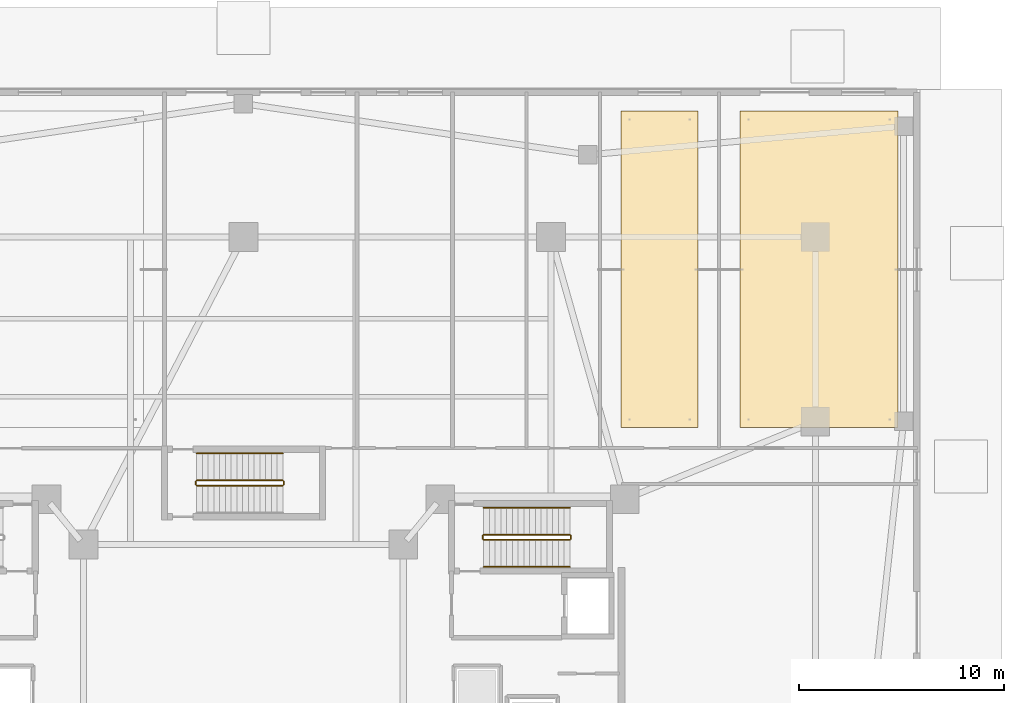
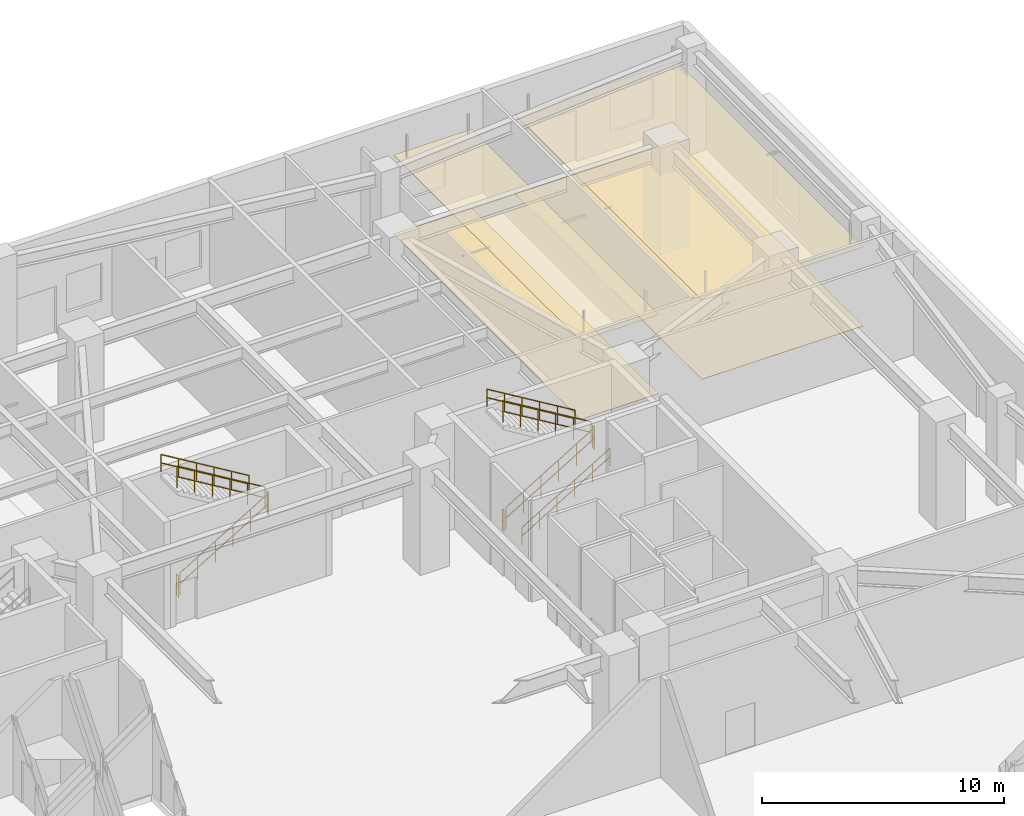
# One storey, part 16 of 18: 11 railings, 4 coverings.
"""IFC4 building model written with IfcOpenShell, lengths in metres."""

from ifc_helpers import new_model, si_unit, direction, frame, origin, origin_2d, place, context, subcontext, project, spatial, polyline, circle, outline, extrude, material, layer, layer_set, type_object, element, save


model = new_model("IFC4")

# Units and contexts
model_context = context("Model", 3, precision=1e-05, world=origin(), true_north=direction((0.0, 1.0)))
body_context = subcontext(model_context, "Body", "Model", "MODEL_VIEW")
ifc_project = project(units=[si_unit("LENGTHUNIT", "METRE"), si_unit("AREAUNIT", "SQUARE_METRE"), si_unit("VOLUMEUNIT", "CUBIC_METRE"), si_unit("PLANEANGLEUNIT", "RADIAN"), si_unit("MASSUNIT", "GRAM", prefix="KILO")], contexts=[model_context])

# Site, building, storey
site_placement = place(None, origin())
site = spatial("IfcSite", under=ifc_project, at=site_placement, CompositionType="ELEMENT")
building_placement = place(site_placement, origin())
building = spatial("IfcBuilding", under=site, at=building_placement, Name="Tarnavaz Court Tower", CompositionType="ELEMENT")
storey_placement = place(building_placement, origin())
storey = spatial("IfcBuildingStorey", under=building, at=storey_placement, Name="L00", CompositionType="ELEMENT", Elevation=0.0)

# Coverings
ifc_material_1 = material(Name="Perforated Gypsum Acoustic Ceiling Tile", Category="masonry")
ifc_layer_1 = layer(ifc_material_1, 0.02490234375)
ifc_layer_set_1 = layer_set([ifc_layer_1], Name="Perforated Gypsum Acoustic Ceiling Tile")
covering_type_1 = type_object("IfcCoveringType", Name="CV-CEIL-AC", PredefinedType="CEILING", material=ifc_layer_set_1)
covering_1_placement = place(storey_placement, frame((0.0, 0.0, 3.97998046875)))
element("IfcCovering", 1, at=covering_1_placement, inside=storey, type_object=covering_type_1, Name="L00 Primary Care Consultation Suite Suspended Acoustic Ceiling", PredefinedType="CEILING", context=body_context, shape_type="SweptSolid", body=[
    extrude(outline(polyline([(18.429931640625, 13.5), (22.169921875, 13.5), (22.169921875, 28.929931640625), (18.429931640625, 28.929931640625), (18.429931640625, 13.5)])), origin(), (0.0, 0.0, 1.0), 0.02490234375),
])
covering_2_placement = place(storey_placement, frame((0.0, 0.0, 3.97998046875)))
element("IfcCovering", 2, at=covering_2_placement, inside=storey, type_object=covering_type_1, Name="L00 Main Residential Entrance Lobby Suspended Acoustic Ceiling", PredefinedType="CEILING", context=body_context, shape_type="SweptSolid", body=[
    extrude(outline(polyline([(24.22998046875, 13.5), (31.929931640625, 13.5), (31.929931640625, 28.929931640625), (24.22998046875, 28.929931640625), (24.22998046875, 13.5)])), origin(), (0.0, 0.0, 1.0), 0.02490234375),
])
ifc_material_2 = material(Name="Glazed Khorasan Porcelain Floor Tile", Category="masonry")
ifc_layer_2 = layer(ifc_material_2, 0.02001953125)
ifc_layer_set_2 = layer_set([ifc_layer_2], Name="Glazed Khorasan Porcelain Floor Tile")
covering_type_2 = type_object("IfcCoveringType", Name="CV-FLR-PORC", PredefinedType="FLOORING", material=ifc_layer_set_2)
covering_3_placement = place(storey_placement, origin())
element("IfcCovering", 3, at=covering_3_placement, inside=storey, type_object=covering_type_2, Name="L00 Primary Care Consultation Suite Porcelain Floor Finish", PredefinedType="FLOORING", context=body_context, shape_type="SweptSolid", body=[
    extrude(outline(polyline([(18.429931640625, 13.5), (22.169921875, 13.5), (22.169921875, 28.929931640625), (18.429931640625, 28.929931640625), (18.429931640625, 13.5)])), origin(), (0.0, 0.0, 1.0), 0.02001953125),
])
covering_4_placement = place(storey_placement, origin())
element("IfcCovering", 4, at=covering_4_placement, inside=storey, type_object=covering_type_2, Name="L00 Main Residential Entrance Lobby Porcelain Floor Finish", PredefinedType="FLOORING", context=body_context, shape_type="SweptSolid", body=[
    extrude(outline(polyline([(24.22998046875, 13.5), (31.929931640625, 13.5), (31.929931640625, 28.929931640625), (24.22998046875, 28.929931640625), (24.22998046875, 13.5)])), origin(), (0.0, 0.0, 1.0), 0.02001953125),
])

# Railings
ifc_material_3 = material(Name="Brushed Stainless Steel", Category="steel")
railing_type_1 = type_object("IfcRailingType", Name="RL-HANDRAIL-900", PredefinedType="HANDRAIL", material=ifc_material_3)
railing_1_placement = place(storey_placement, frame((11.719970703125, 6.699951171875, 0.168701171875)))
element("IfcRailing", 5, at=railing_1_placement, inside=storey, type_object=railing_type_1, Name="L00 ST-E1 stair handrail 1", PredefinedType="HANDRAIL", context=body_context, shape_type="SweptSolid", body=[
    extrude(circle(Radius=0.02392578125, at=origin_2d()), frame((0.0, 0.0, 0.8759765625), z_axis=(0.856476492594, 0.0, 0.516186030065), x_axis=(0.0, 1.0, 0.0)), (0.0, 0.0, 1.0), 4.90380859375),
    extrude(circle(Radius=0.02392578125, at=origin_2d()), frame((0.0, 0.0, 0.449951171875), z_axis=(0.856476492594, 0.0, 0.516186030065), x_axis=(0.0, 1.0, 0.0)), (0.0, 0.0, 1.0), 4.90380859375),
    extrude(circle(Radius=0.02099609375, at=origin_2d()), origin(), (0.0, 0.0, 1.0), 0.851806640625),
    extrude(circle(Radius=0.02099609375, at=origin_2d()), frame((0.840087890625, 0.0, 0.50634765625)), (0.0, 0.0, 1.0), 0.851806640625),
    extrude(circle(Radius=0.02099609375, at=origin_2d()), frame((1.679931640625, 0.0, 1.012451171875)), (0.0, 0.0, 1.0), 0.851806640625),
    extrude(circle(Radius=0.02099609375, at=origin_2d()), frame((2.52001953125, 0.0, 1.518798828125)), (0.0, 0.0, 1.0), 0.851806640625),
    extrude(circle(Radius=0.02099609375, at=origin_2d()), frame((3.35986328125, 0.0, 2.02490234375)), (0.0, 0.0, 1.0), 0.851806640625),
    extrude(circle(Radius=0.02099609375, at=origin_2d()), frame((4.199951171875, 0.0, 2.53125)), (0.0, 0.0, 1.0), 0.851806640625),
])
for number, where, name in (
    (6, (15.919921875, 9.590087890625, 2.86865234375), "L00 ST-E1 stair handrail 2"),
    (7, (1.919921875, 12.239990234375, 2.86865234375), "L00 ST-N1 stair handrail 2"),
):
    element("IfcRailing", number, at=place(storey_placement, frame(where)), inside=storey, type_object=railing_type_1, Name=name, PredefinedType="HANDRAIL", context=body_context, shape_type="SweptSolid", body=[
        extrude(circle(Radius=0.02392578125, at=origin_2d()), frame((0.0, 0.0, 0.8759765625), z_axis=(-0.856476492594, 0.0, 0.516186030065), x_axis=(0.0, -1.0, 0.0)), (0.0, 0.0, 1.0), 4.90380859375),
        extrude(circle(Radius=0.02392578125, at=origin_2d()), frame((0.0, 0.0, 0.449951171875), z_axis=(-0.856476492594, 0.0, 0.516186030065), x_axis=(0.0, -1.0, 0.0)), (0.0, 0.0, 1.0), 4.90380859375),
        extrude(circle(Radius=0.02099609375, at=origin_2d()), origin(), (0.0, 0.0, 1.0), 0.851806640625),
        extrude(circle(Radius=0.02099609375, at=origin_2d()), frame((-0.840087890625, 0.0, 0.50634765625)), (0.0, 0.0, 1.0), 0.851806640625),
        extrude(circle(Radius=0.02099609375, at=origin_2d()), frame((-1.679931640625, 0.0, 1.012451171875)), (0.0, 0.0, 1.0), 0.851806640625),
        extrude(circle(Radius=0.02099609375, at=origin_2d()), frame((-2.52001953125, 0.0, 1.518798828125)), (0.0, 0.0, 1.0), 0.851806640625),
        extrude(circle(Radius=0.02099609375, at=origin_2d()), frame((-3.35986328125, 0.0, 2.02490234375)), (0.0, 0.0, 1.0), 0.851806640625),
        extrude(circle(Radius=0.02099609375, at=origin_2d()), frame((-4.199951171875, 0.0, 2.53125)), (0.0, 0.0, 1.0), 0.851806640625),
    ])
ifc_material_4 = material(Name="Galvanized Painted Tubular Steel", Category="steel")
railing_type_2 = type_object("IfcRailingType", Name="RL-STGUARD-1120", PredefinedType="GUARDRAIL", material=ifc_material_4)
railing_2_placement = place(storey_placement, frame((11.719970703125, 8.02001953125, 0.168701171875)))
element("IfcRailing", 8, at=railing_2_placement, inside=storey, type_object=railing_type_2, Name="L00 ST-E1 stair guard 1", PredefinedType="GUARDRAIL", context=body_context, shape_type="SweptSolid", body=[
    extrude(circle(Radius=0.02392578125, at=origin_2d()), frame((0.0, 0.0, 1.09619140625), z_axis=(0.856476492594, 0.0, 0.516186030065), x_axis=(0.0, 1.0, 0.0)), (0.0, 0.0, 1.0), 4.90380859375),
    extrude(circle(Radius=0.02392578125, at=origin_2d()), frame((0.0, 0.0, 0.56005859375), z_axis=(0.856476492594, 0.0, 0.516186030065), x_axis=(0.0, 1.0, 0.0)), (0.0, 0.0, 1.0), 4.90380859375),
    extrude(circle(Radius=0.02099609375, at=origin_2d()), origin(), (0.0, 0.0, 1.0), 1.072021484375),
    extrude(circle(Radius=0.02099609375, at=origin_2d()), frame((0.840087890625, 0.0, 0.50634765625)), (0.0, 0.0, 1.0), 1.072021484375),
    extrude(circle(Radius=0.02099609375, at=origin_2d()), frame((1.679931640625, 0.0, 1.012451171875)), (0.0, 0.0, 1.0), 1.072021484375),
    extrude(circle(Radius=0.02099609375, at=origin_2d()), frame((2.52001953125, 0.0, 1.518798828125)), (0.0, 0.0, 1.0), 1.072021484375),
    extrude(circle(Radius=0.02099609375, at=origin_2d()), frame((3.35986328125, 0.0, 2.02490234375)), (0.0, 0.0, 1.0), 1.072021484375),
    extrude(circle(Radius=0.02099609375, at=origin_2d()), frame((4.199951171875, 0.0, 2.53125)), (0.0, 0.0, 1.0), 1.072021484375),
])
railing_3_placement = place(storey_placement, frame((15.969970703125, 8.070068359375, 2.699951171875)))
element("IfcRailing", 9, at=railing_3_placement, inside=storey, type_object=railing_type_2, Name="L00 ST-E1 stair guard 2", PredefinedType="GUARDRAIL", context=body_context, shape_type="SweptSolid", body=[
    extrude(circle(Radius=0.02392578125, at=origin_2d()), frame((0.0, 0.0, 1.09619140625), z_axis=(0.0, 1.0, 0.0), x_axis=(-1.0, 0.0, 0.0)), (0.0, 0.0, 1.0), 0.14990234375),
    extrude(circle(Radius=0.02392578125, at=origin_2d()), frame((0.0, 0.0, 0.56005859375), z_axis=(0.0, 1.0, 0.0), x_axis=(-1.0, 0.0, 0.0)), (0.0, 0.0, 1.0), 0.14990234375),
    extrude(circle(Radius=0.02099609375, at=origin_2d()), origin(), (0.0, 0.0, 1.0), 1.072021484375),
    extrude(circle(Radius=0.02099609375, at=origin_2d()), frame((0.0, 0.14990234375, 0.0)), (0.0, 0.0, 1.0), 1.072021484375),
])
railing_4_placement = place(storey_placement, frame((15.919921875, 8.27001953125, 2.86865234375)))
element("IfcRailing", 10, at=railing_4_placement, inside=storey, type_object=railing_type_2, Name="L00 ST-E1 stair guard 3", PredefinedType="GUARDRAIL", context=body_context, shape_type="SweptSolid", body=[
    extrude(circle(Radius=0.02392578125, at=origin_2d()), frame((0.0, 0.0, 1.09619140625), z_axis=(-0.856476492594, 0.0, 0.516186030065), x_axis=(0.0, -1.0, 0.0)), (0.0, 0.0, 1.0), 4.90380859375),
    extrude(circle(Radius=0.02392578125, at=origin_2d()), frame((0.0, 0.0, 0.56005859375), z_axis=(-0.856476492594, 0.0, 0.516186030065), x_axis=(0.0, -1.0, 0.0)), (0.0, 0.0, 1.0), 4.90380859375),
    extrude(circle(Radius=0.02099609375, at=origin_2d()), origin(), (0.0, 0.0, 1.0), 1.072021484375),
    extrude(circle(Radius=0.02099609375, at=origin_2d()), frame((-0.840087890625, 0.0, 0.50634765625)), (0.0, 0.0, 1.0), 1.072021484375),
    extrude(circle(Radius=0.02099609375, at=origin_2d()), frame((-1.679931640625, 0.0, 1.012451171875)), (0.0, 0.0, 1.0), 1.072021484375),
    extrude(circle(Radius=0.02099609375, at=origin_2d()), frame((-2.52001953125, 0.0, 1.518798828125)), (0.0, 0.0, 1.0), 1.072021484375),
    extrude(circle(Radius=0.02099609375, at=origin_2d()), frame((-3.35986328125, 0.0, 2.02490234375)), (0.0, 0.0, 1.0), 1.072021484375),
    extrude(circle(Radius=0.02099609375, at=origin_2d()), frame((-4.199951171875, 0.0, 2.53125)), (0.0, 0.0, 1.0), 1.072021484375),
])
railing_5_placement = place(storey_placement, frame((11.669921875, 8.070068359375, 0.0)))
element("IfcRailing", 11, at=railing_5_placement, inside=storey, type_object=railing_type_2, Name="L00 ST-E1 stair guard 4", PredefinedType="GUARDRAIL", context=body_context, shape_type="SweptSolid", body=[
    extrude(circle(Radius=0.02392578125, at=origin_2d()), frame((0.0, 0.0, 1.09619140625), z_axis=(0.0, 1.0, 0.0), x_axis=(-1.0, 0.0, 0.0)), (0.0, 0.0, 1.0), 0.14990234375),
    extrude(circle(Radius=0.02392578125, at=origin_2d()), frame((0.0, 0.0, 0.56005859375), z_axis=(0.0, 1.0, 0.0), x_axis=(-1.0, 0.0, 0.0)), (0.0, 0.0, 1.0), 0.14990234375),
    extrude(circle(Radius=0.02099609375, at=origin_2d()), origin(), (0.0, 0.0, 1.0), 1.072021484375),
    extrude(circle(Radius=0.02099609375, at=origin_2d()), frame((0.0, 0.14990234375, 0.0)), (0.0, 0.0, 1.0), 1.072021484375),
])
railing_6_placement = place(storey_placement, frame((-2.280029296875, 10.669921875, 0.168701171875)))
element("IfcRailing", 12, at=railing_6_placement, inside=storey, type_object=railing_type_2, Name="L00 ST-N1 stair guard 1", PredefinedType="GUARDRAIL", context=body_context, shape_type="SweptSolid", body=[
    extrude(circle(Radius=0.02392578125, at=origin_2d()), frame((0.0, 0.0, 1.09619140625), z_axis=(0.856476492594, 0.0, 0.516186030065), x_axis=(0.0, 1.0, 0.0)), (0.0, 0.0, 1.0), 4.90380859375),
    extrude(circle(Radius=0.02392578125, at=origin_2d()), frame((0.0, 0.0, 0.56005859375), z_axis=(0.856476492594, 0.0, 0.516186030065), x_axis=(0.0, 1.0, 0.0)), (0.0, 0.0, 1.0), 4.90380859375),
    extrude(circle(Radius=0.02099609375, at=origin_2d()), origin(), (0.0, 0.0, 1.0), 1.072021484375),
    extrude(circle(Radius=0.02099609375, at=origin_2d()), frame((0.840087890625, 0.0, 0.50634765625)), (0.0, 0.0, 1.0), 1.072021484375),
    extrude(circle(Radius=0.02099609375, at=origin_2d()), frame((1.679931640625, 0.0, 1.012451171875)), (0.0, 0.0, 1.0), 1.072021484375),
    extrude(circle(Radius=0.02099609375, at=origin_2d()), frame((2.52001953125, 0.0, 1.518798828125)), (0.0, 0.0, 1.0), 1.072021484375),
    extrude(circle(Radius=0.02099609375, at=origin_2d()), frame((3.35986328125, 0.0, 2.02490234375)), (0.0, 0.0, 1.0), 1.072021484375),
    extrude(circle(Radius=0.02099609375, at=origin_2d()), frame((4.199951171875, 0.0, 2.53125)), (0.0, 0.0, 1.0), 1.072021484375),
])
railing_7_placement = place(storey_placement, frame((1.969970703125, 10.719970703125, 2.699951171875)))
element("IfcRailing", 13, at=railing_7_placement, inside=storey, type_object=railing_type_2, Name="L00 ST-N1 stair guard 2", PredefinedType="GUARDRAIL", context=body_context, shape_type="SweptSolid", body=[
    extrude(circle(Radius=0.02392578125, at=origin_2d()), frame((0.0, 0.0, 1.09619140625), z_axis=(0.0, 1.0, 0.0), x_axis=(-1.0, 0.0, 0.0)), (0.0, 0.0, 1.0), 0.150146484375),
    extrude(circle(Radius=0.02392578125, at=origin_2d()), frame((0.0, 0.0, 0.56005859375), z_axis=(0.0, 1.0, 0.0), x_axis=(-1.0, 0.0, 0.0)), (0.0, 0.0, 1.0), 0.150146484375),
    extrude(circle(Radius=0.02099609375, at=origin_2d()), origin(), (0.0, 0.0, 1.0), 1.072021484375),
    extrude(circle(Radius=0.02099609375, at=origin_2d()), frame((0.0, 0.150146484375, 0.0)), (0.0, 0.0, 1.0), 1.072021484375),
])
railing_8_placement = place(storey_placement, frame((1.919921875, 10.919921875, 2.86865234375)))
element("IfcRailing", 14, at=railing_8_placement, inside=storey, type_object=railing_type_2, Name="L00 ST-N1 stair guard 3", PredefinedType="GUARDRAIL", context=body_context, shape_type="SweptSolid", body=[
    extrude(circle(Radius=0.02392578125, at=origin_2d()), frame((0.0, 0.0, 1.09619140625), z_axis=(-0.856476492594, 0.0, 0.516186030065), x_axis=(0.0, -1.0, 0.0)), (0.0, 0.0, 1.0), 4.90380859375),
    extrude(circle(Radius=0.02392578125, at=origin_2d()), frame((0.0, 0.0, 0.56005859375), z_axis=(-0.856476492594, 0.0, 0.516186030065), x_axis=(0.0, -1.0, 0.0)), (0.0, 0.0, 1.0), 4.90380859375),
    extrude(circle(Radius=0.02099609375, at=origin_2d()), origin(), (0.0, 0.0, 1.0), 1.072021484375),
    extrude(circle(Radius=0.02099609375, at=origin_2d()), frame((-0.840087890625, 0.0, 0.50634765625)), (0.0, 0.0, 1.0), 1.072021484375),
    extrude(circle(Radius=0.02099609375, at=origin_2d()), frame((-1.679931640625, 0.0, 1.012451171875)), (0.0, 0.0, 1.0), 1.072021484375),
    extrude(circle(Radius=0.02099609375, at=origin_2d()), frame((-2.52001953125, 0.0, 1.518798828125)), (0.0, 0.0, 1.0), 1.072021484375),
    extrude(circle(Radius=0.02099609375, at=origin_2d()), frame((-3.35986328125, 0.0, 2.02490234375)), (0.0, 0.0, 1.0), 1.072021484375),
    extrude(circle(Radius=0.02099609375, at=origin_2d()), frame((-4.199951171875, 0.0, 2.53125)), (0.0, 0.0, 1.0), 1.072021484375),
])
railing_9_placement = place(storey_placement, frame((-2.330078125, 10.719970703125, 0.0)))
element("IfcRailing", 15, at=railing_9_placement, inside=storey, type_object=railing_type_2, Name="L00 ST-N1 stair guard 4", PredefinedType="GUARDRAIL", context=body_context, shape_type="SweptSolid", body=[
    extrude(circle(Radius=0.02392578125, at=origin_2d()), frame((0.0, 0.0, 1.09619140625), z_axis=(0.0, 1.0, 0.0), x_axis=(-1.0, 0.0, 0.0)), (0.0, 0.0, 1.0), 0.150146484375),
    extrude(circle(Radius=0.02392578125, at=origin_2d()), frame((0.0, 0.0, 0.56005859375), z_axis=(0.0, 1.0, 0.0), x_axis=(-1.0, 0.0, 0.0)), (0.0, 0.0, 1.0), 0.150146484375),
    extrude(circle(Radius=0.02099609375, at=origin_2d()), origin(), (0.0, 0.0, 1.0), 1.072021484375),
    extrude(circle(Radius=0.02099609375, at=origin_2d()), frame((0.0, 0.150146484375, 0.0)), (0.0, 0.0, 1.0), 1.072021484375),
])

save(model, "model.ifc")
